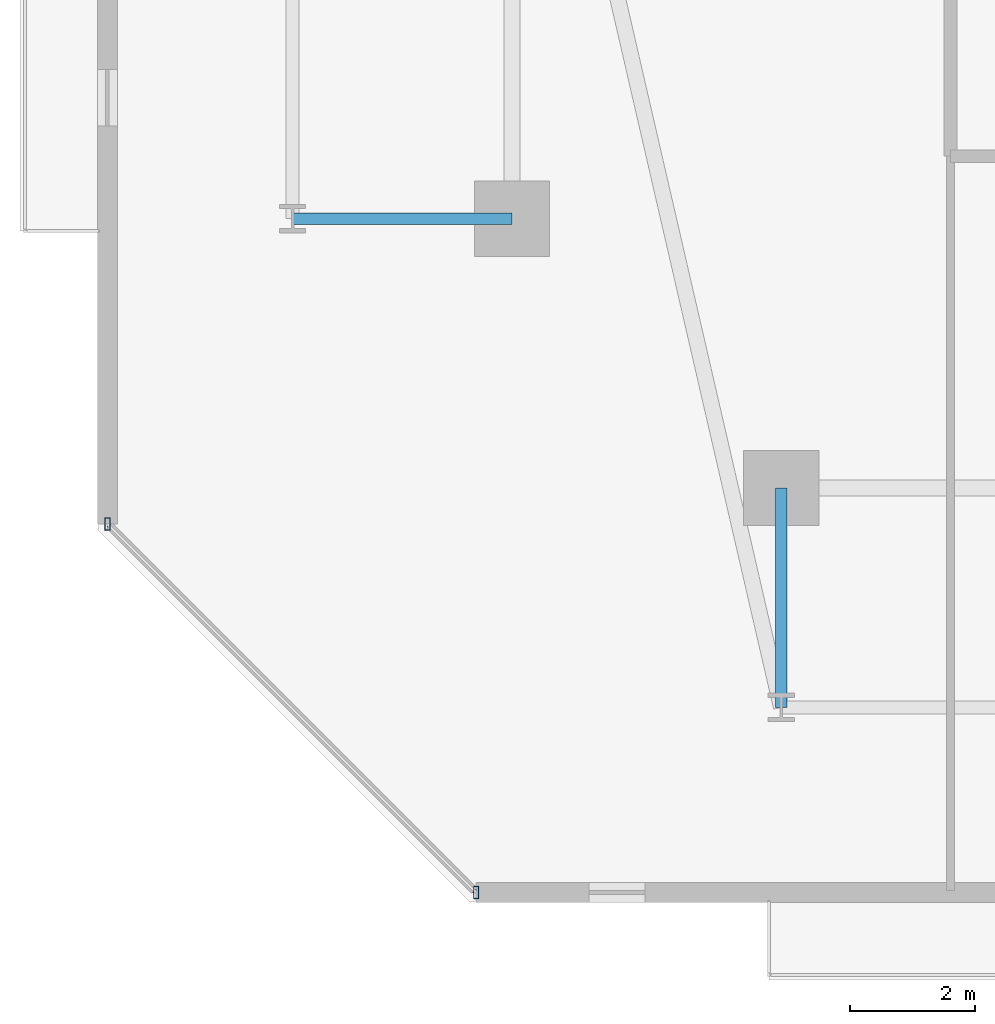
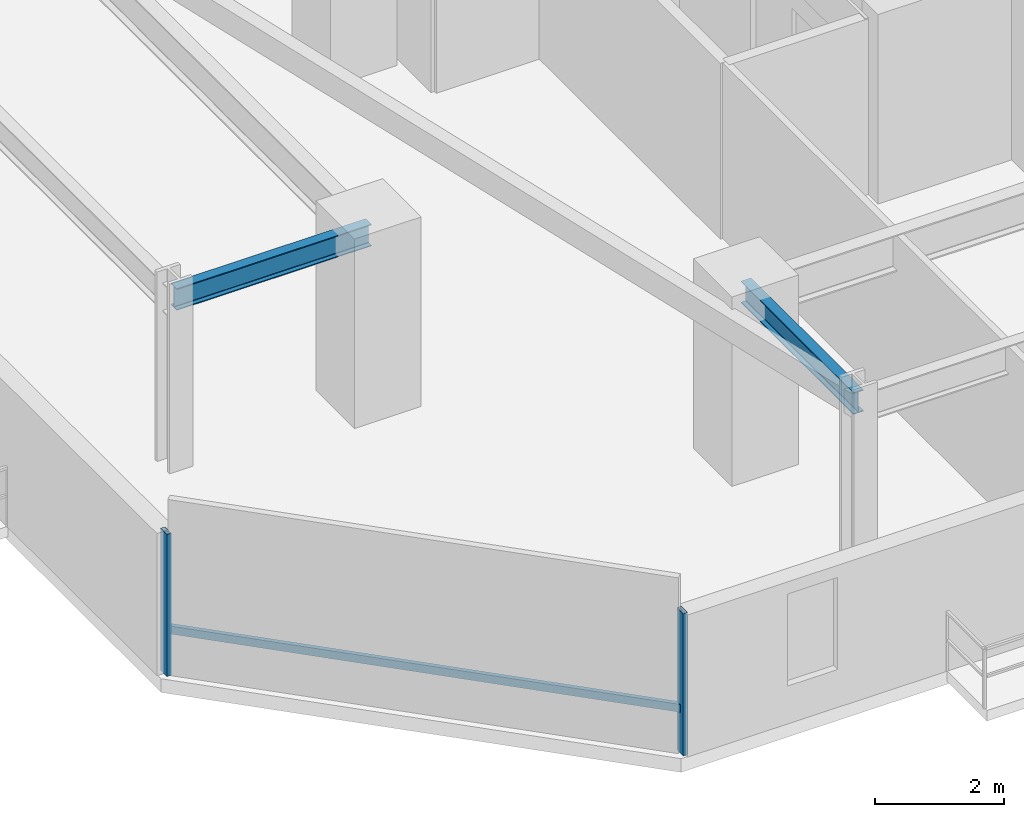
# One storey, part 3 of 32: 3 members, 2 beams, 1 element without a shape of its own.
"""IFC4 building model written with IfcOpenShell, lengths in metres."""

import ifcopenshell
import ifcopenshell.guid

model = None  # the IFC model being written
_history = None  # IfcOwnerHistory: only IFC2X3 demands one
_inside = {}  # id of a spatial element -> (the spatial element, [elements in it])
_under = {}  # id of a project, library or spatial element -> (it, [spatial elements below it])
_declared = {}  # id of a project -> (the project, [libraries it declares])
_typed = {}  # id of a type object -> (the type object, [elements of that type])
_made_of = {}  # id of a material, layer set ... -> (it, [elements and type objects made of it])


def new_model(schema):
    """Start an empty IFC model of exactly this schema.

    Asked for "IFC4X3", IfcOpenShell would pick the latest addendum, in which some entities
    have other attributes; the version numbers below select the first issue.
    IFC2X3 requires an IfcOwnerHistory on every rooted entity: one is made here for all.
    """
    global model, _history
    if schema == "IFC4X3":
        model = ifcopenshell.file(schema_version=(4, 3, 0, 0))
    else:
        model = ifcopenshell.file(schema=schema)
    _inside.clear()
    _under.clear()
    _declared.clear()
    _typed.clear()
    _made_of.clear()
    _history = None
    if model.schema == "IFC2X3":
        org = make("IfcOrganization", Name="unknown")
        user = make(
            "IfcPersonAndOrganization",
            ThePerson=make("IfcPerson", FamilyName="unknown"),
            TheOrganization=org,
        )
        app = make(
            "IfcApplication",
            ApplicationDeveloper=org,
            Version="unknown",
            ApplicationFullName="unknown",
            ApplicationIdentifier="unknown",
        )
        _history = make(
            "IfcOwnerHistory",
            OwningUser=user,
            OwningApplication=app,
            ChangeAction="ADDED",
            CreationDate=0,
        )
    return model


def make(cls, **values):
    """One entity of the class cls with the attributes given. An attribute that is None is left unset."""
    return model.create_entity(
        cls, **{name: value for name, value in values.items() if value is not None}
    )


def rooted(cls, **values):
    """An entity with a GlobalId (a new one), such as an element, a storey or a relation."""
    return make(cls, GlobalId=ifcopenshell.guid.new(), OwnerHistory=_history, **values)


def si_unit(unit_type, name, prefix=None):
    """IfcSIUnit, for example si_unit("LENGTHUNIT", "METRE", prefix="MILLI")."""
    return make("IfcSIUnit", UnitType=unit_type, Prefix=prefix, Name=name)


def assignment(units):
    """IfcUnitAssignment: the units of a project."""
    return None if units is None else make("IfcUnitAssignment", Units=units)


def point(xyz):
    """IfcCartesianPoint."""
    return None if xyz is None else make("IfcCartesianPoint", Coordinates=xyz)


def direction(xyz):
    """IfcDirection."""
    return None if xyz is None else make("IfcDirection", DirectionRatios=xyz)


def frame(location, z_axis=None, x_axis=None):
    """IfcAxis2Placement3D, a coordinate frame: its origin and axes. An axis left out is left unset."""
    return make(
        "IfcAxis2Placement3D",
        Location=point(location),
        Axis=direction(z_axis),
        RefDirection=direction(x_axis),
    )


def frame_2d(location, x_axis=None):
    """IfcAxis2Placement2D, a coordinate frame in the plane: its origin and x axis."""
    return make(
        "IfcAxis2Placement2D", Location=point(location), RefDirection=direction(x_axis)
    )


def origin():
    """The frame at (0, 0, 0) with its axes left unset."""
    return frame((0.0, 0.0, 0.0))


def origin_2d():
    """The frame at (0, 0) in the plane with its x axis left unset."""
    return frame_2d((0.0, 0.0))


def place(relative_to, where):
    """IfcLocalPlacement: puts the frame where relative to a parent placement (None: the world)."""
    return make(
        "IfcLocalPlacement", PlacementRelTo=relative_to, RelativePlacement=where
    )


def context(
    kind, dimensions, precision=None, world=None, true_north=None, identifier=None
):
    """IfcGeometricRepresentationContext, for example the 3D "Model" context."""
    return make(
        "IfcGeometricRepresentationContext",
        ContextIdentifier=identifier,
        ContextType=kind,
        CoordinateSpaceDimension=dimensions,
        Precision=precision,
        WorldCoordinateSystem=world,
        TrueNorth=true_north,
    )


def subcontext(parent, identifier, kind, view, scale=None):
    """IfcGeometricRepresentationSubContext, for example "Body" below "Model"."""
    return make(
        "IfcGeometricRepresentationSubContext",
        ContextIdentifier=identifier,
        ContextType=kind,
        ParentContext=parent,
        TargetScale=scale,
        TargetView=view,
    )


def project(units=None, contexts=None):
    """IfcProject with its units and contexts."""
    return rooted(
        "IfcProject",
        Name="project",
        RepresentationContexts=contexts,
        UnitsInContext=assignment(units),
    )


def spatial(cls, under=None, at=None, **own):
    """A site, building, storey or space (cls), placed at a placement, below another one or the project."""
    s = rooted(cls, ObjectPlacement=at, **own)
    if under is not None:
        _under.setdefault(under.id(), (under, []))[1].append(s)
    return s


def profile(cls, at=None, kind="AREA", **sizes):
    """A parametric profile (cls). Its sizes go by their IFC names, for example OverallWidth=200.0."""
    return make(cls, ProfileType=kind, Position=at, **sizes)


def hollow_rectangle(**sizes):
    """IfcRectangleHollowProfileDef."""
    return profile("IfcRectangleHollowProfileDef", **sizes)


def i_section(**sizes):
    """IfcIShapeProfileDef."""
    return profile("IfcIShapeProfileDef", **sizes)


def extrude(swept, where, along, depth):
    """IfcExtrudedAreaSolid: the profile swept, set in the frame where, extruded along a direction by depth."""
    return make(
        "IfcExtrudedAreaSolid",
        SweptArea=swept,
        Position=where,
        ExtrudedDirection=direction(along),
        Depth=depth,
    )


def shape(context_of_items, identifier, shape_type, items):
    """IfcShapeRepresentation: the items that make up one representation, for example the "Body"."""
    return make(
        "IfcShapeRepresentation",
        ContextOfItems=context_of_items,
        RepresentationIdentifier=identifier,
        RepresentationType=shape_type,
        Items=items,
    )


def material(Name=None, Category=None):
    """IfcMaterial."""
    return make("IfcMaterial", Name=Name, Category=Category)


def material_profile(
    of_material, cross_section, Name=None, Category=None, Priority=None
):
    """IfcMaterialProfile: a cross section and its material."""
    return make(
        "IfcMaterialProfile",
        Name=Name,
        Material=of_material,
        Profile=cross_section,
        Priority=Priority,
        Category=Category,
    )


def profile_set(profiles, Name=None, composite=None):
    """IfcMaterialProfileSet."""
    return make(
        "IfcMaterialProfileSet",
        Name=Name,
        MaterialProfiles=profiles,
        CompositeProfile=composite,
    )


def made_of(thing, what):
    """Note that an element or type object is made of a material, layer set ...; save() writes the relation."""
    if what is not None:
        _made_of.setdefault(what.id(), (what, []))[1].append(thing)
    return thing


def type_object(cls, material=None, **own):
    """A type object (cls), such as IfcWallType, which elements share."""
    return made_of(rooted(cls, **own), material)


def element(
    cls,
    number,
    at=None,
    inside=None,
    cuts=None,
    type_object=None,
    material=None,
    context=None,
    identifier="Body",
    shape_type=None,
    held_by="IfcProductDefinitionShape",
    body=None,
    shapes=None,
    **own,
):
    """One element of the class cls, such as IfcWall. Its Tag is "e" and its number.

    at: its placement. inside: the storey or other place that contains it. cuts: it is an
    opening in that element (IfcRelVoidsElement). A single representation is given by context,
    identifier, shape_type and body (its items); several are given by shapes. held_by: the class
    of the entity that holds the representations. save() writes the other relations.
    """
    e = rooted(cls, Tag="e%d" % number, ObjectPlacement=at, **own)
    if body is not None:
        shapes = [shape(context, identifier, shape_type, body)]
    if shapes is not None:
        e.Representation = make(held_by, Representations=shapes)
    if inside is not None:
        _inside.setdefault(inside.id(), (inside, []))[1].append(e)
    if cuts is not None:
        rooted(
            "IfcRelVoidsElement", RelatingBuildingElement=cuts, RelatedOpeningElement=e
        )
    if type_object is not None:
        _typed.setdefault(type_object.id(), (type_object, []))[1].append(e)
    return made_of(e, material)


def aggregate(whole, parts):
    """IfcRelAggregates: a whole, such as a stair, and the parts it consists of."""
    return rooted("IfcRelAggregates", RelatingObject=whole, RelatedObjects=parts)


def save(model, path):
    """Write the relations noted so far, then the file.

    IfcRelAggregates (storeys below a building ...), IfcRelContainedInSpatialStructure (elements
    in a storey), IfcRelDefinesByType, IfcRelAssociatesMaterial and IfcRelDeclares: one each for
    every whole, place, type object, material and project.
    """
    for whole, parts in _under.values():
        aggregate(whole, parts)
    for where, things in _inside.values():
        rooted(
            "IfcRelContainedInSpatialStructure",
            RelatedElements=things,
            RelatingStructure=where,
        )
    for kind, things in _typed.values():
        rooted("IfcRelDefinesByType", RelatedObjects=things, RelatingType=kind)
    for what, things in _made_of.values():
        rooted("IfcRelAssociatesMaterial", RelatedObjects=things, RelatingMaterial=what)
    for by, libraries in _declared.values():
        rooted("IfcRelDeclares", RelatingContext=by, RelatedDefinitions=libraries)
    model.write(path)


model = new_model("IFC4")

# Units and contexts
model_context = context("Model", 3, precision=1e-05, world=origin(), true_north=direction((0.0, 1.0)))
body_context = subcontext(model_context, "Body", "Model", "MODEL_VIEW")
ifc_project = project(units=[si_unit("LENGTHUNIT", "METRE"), si_unit("AREAUNIT", "SQUARE_METRE"), si_unit("VOLUMEUNIT", "CUBIC_METRE"), si_unit("PLANEANGLEUNIT", "RADIAN"), si_unit("MASSUNIT", "GRAM", prefix="KILO")], contexts=[model_context])

# Site, building, storey
site_placement = place(None, origin())
site = spatial("IfcSite", under=ifc_project, at=site_placement, CompositionType="ELEMENT")
building_placement = place(site_placement, origin())
building = spatial("IfcBuilding", under=site, at=building_placement, Name="Thornwick Lancets Civic Towers", CompositionType="ELEMENT")
storey_placement = place(building_placement, frame((0.0, 0.0, 123.300048828125)))
storey = spatial("IfcBuildingStorey", under=building, at=storey_placement, Name="L32", CompositionType="ELEMENT", Elevation=123.300048828125)

# Beams
ifc_material_1 = material(Name="Steel S355JR", Category="steel")
ifc_material_profile_1 = material_profile(ifc_material_1, i_section(OverallWidth=0.179443359375, OverallDepth=0.412841796875, WebThickness=0.009521484375, FlangeThickness=0.01611328125, FilletRadius=0.01025390625, at=origin_2d()), Name="UKB 406x178x74")
ifc_profile_set_1 = profile_set([ifc_material_profile_1], Name="Steel S355JR")
beam_type = type_object("IfcBeamType", Name="BM_JOIST_406_74", PredefinedType="JOIST", material=ifc_profile_set_1)
for number, where, z_axis, x_axis, name in (
    (1, (12.5, 9.699951171875, 3.153564453125), (0.0, -1.0, 0.0), (1.0, 0.0, 0.0), "BM-RAD-L32-A01"),
    (2, (8.199951171875, 14.0, 3.153564453125), (-1.0, 0.0, 0.0), (0.0, -1.0, 0.0), "BM-RAD-L32-A10"),
):
    element("IfcBeam", number, at=place(storey_placement, frame(where, z_axis=z_axis, x_axis=x_axis)), inside=storey, type_object=beam_type, Name=name, PredefinedType="JOIST", context=body_context, shape_type="SweptSolid", body=[
        extrude(i_section(OverallWidth=0.179443359375, OverallDepth=0.412841796875, WebThickness=0.009521484375, FlangeThickness=0.01611328125, FilletRadius=0.01025390625, at=origin_2d()), origin(), (0.0, 0.0, 1.0), 3.5),
    ])

# Curtain wall, members
ifc_material_2 = material(Name="Mid-zone chamfered-corner unitised glass curtain wall", Category="glass")
curtain_wall_type = type_object("IfcCurtainWallType", Name="CW_SYS_04", PredefinedType="NOTDEFINED", material=ifc_material_2)
curtain_wall_placement = place(storey_placement, origin())
curtain_wall = element("IfcCurtainWall", 3, at=curtain_wall_placement, inside=storey, type_object=curtain_wall_type, Name="L32 Curtain Wall CW-L32-A-E7", PredefinedType="NOTDEFINED")
ifc_material_3 = material(Name="Thermally broken bronze aluminium S355", Category="steel")
ifc_material_profile_2 = material_profile(ifc_material_3, hollow_rectangle(XDim=0.080078125, YDim=0.199951171875, WallThickness=0.006103515625, at=origin_2d()), Name="RHS 200x80x6")
ifc_profile_set_2 = profile_set([ifc_material_profile_2], Name="Thermally broken bronze aluminium S355")
member_type_1 = type_object("IfcMemberType", Name="CW_MUL_200", PredefinedType="MULLION", material=ifc_profile_set_2)
member_1_placement = place(storey_placement, frame((1.746337890625, 9.127685546875, 0.0), z_axis=(0.0, 0.0, 1.0), x_axis=(1.0, 0.0, 0.0)))
member_1 = element("IfcMember", 4, at=member_1_placement, type_object=member_type_1, Name="CW-L32-A-E7 Mullion 0", PredefinedType="MULLION", context=body_context, shape_type="SweptSolid", body=[
    extrude(hollow_rectangle(XDim=0.080078125, YDim=0.199951171875, WallThickness=0.006103515625, at=origin_2d()), origin(), (0.0, 0.0, 1.0), 2.699951171875),
])
member_2_placement = place(storey_placement, frame((7.627685546875, 3.246337890625, 0.0), z_axis=(0.0, 0.0, 1.0), x_axis=(1.0, 0.0, 0.0)))
member_2 = element("IfcMember", 5, at=member_2_placement, type_object=member_type_1, Name="CW-L32-A-E7 Mullion 1", PredefinedType="MULLION", context=body_context, shape_type="SweptSolid", body=[
    extrude(hollow_rectangle(XDim=0.080078125, YDim=0.199951171875, WallThickness=0.006103515625, at=origin_2d()), origin(), (0.0, 0.0, 1.0), 2.699951171875),
])
ifc_material_profile_3 = material_profile(ifc_material_3, hollow_rectangle(XDim=0.074951171875, YDim=0.14990234375, WallThickness=0.0048828125, at=origin_2d()), Name="RHS 150x75x5")
ifc_profile_set_3 = profile_set([ifc_material_profile_3], Name="Thermally broken bronze aluminium S355")
member_type_2 = type_object("IfcMemberType", Name="CW_TRN_150", PredefinedType="USERDEFINED", material=ifc_profile_set_3)
member_3_placement = place(storey_placement, frame((1.760498046875, 9.11376953125, 0.849853515625), z_axis=(0.707106781187, -0.707106781187, 0.0), x_axis=(0.707106781187, 0.707106781187, 0.0)))
member_3 = element("IfcMember", 6, at=member_3_placement, type_object=member_type_2, Name="CW-L32-A-E7 Transom 0", ObjectType="TRANSOM", PredefinedType="USERDEFINED", context=body_context, shape_type="SweptSolid", body=[
    extrude(hollow_rectangle(XDim=0.074951171875, YDim=0.14990234375, WallThickness=0.0048828125, at=origin_2d()), origin(), (0.0, 0.0, 1.0), 8.27783203125),
])
aggregate(curtain_wall, [member_1, member_2, member_3])

save(model, "model.ifc")
